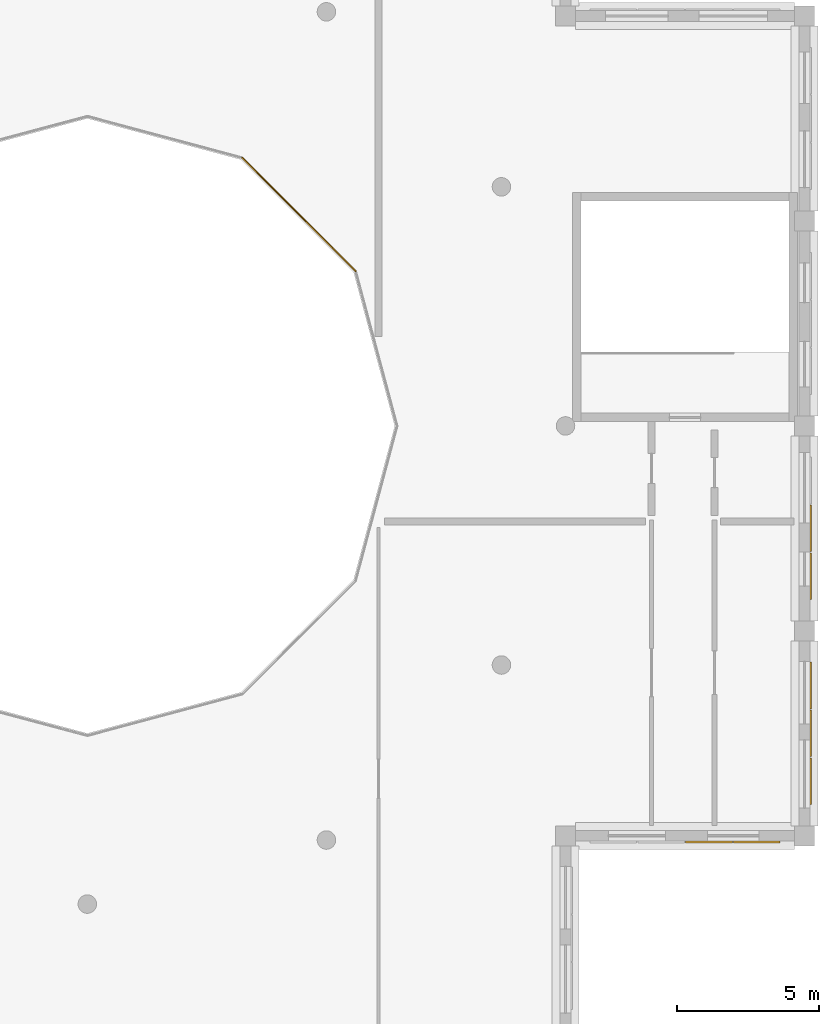
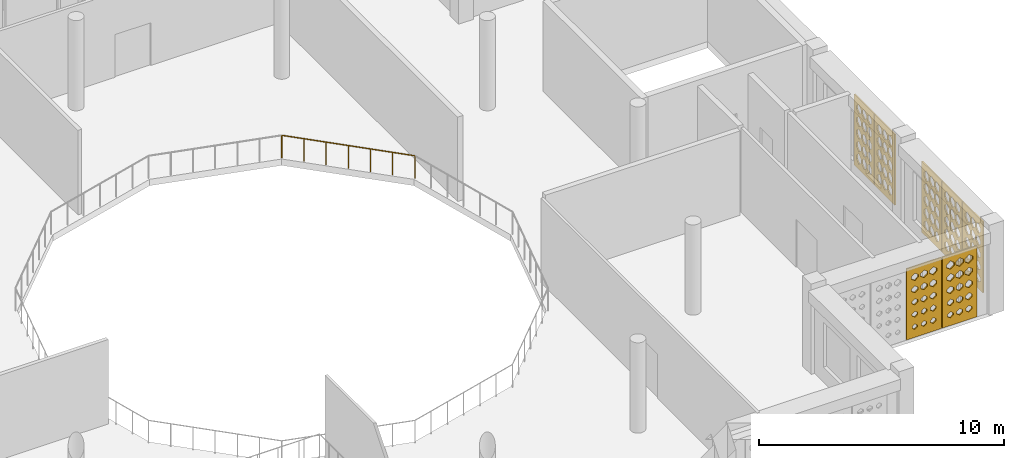
# One storey, part 38 of 47: 7 coverings, 1 railing.
"""IFC4 building model written with IfcOpenShell, lengths in metres."""

from ifc_helpers import new_model, si_unit, derived_unit, direction, frame, origin, origin_2d, place, context, subcontext, project, spatial, polyline, circle, outline, extrude, material, layer, layer_set, type_object, element, save


model = new_model("IFC4")

# Units and contexts
model_context = context("Model", 3, precision=1e-05, world=origin(), true_north=direction((0.0, 1.0)))
body_context = subcontext(model_context, "Body", "Model", "MODEL_VIEW")
ifc_project = project(units=[si_unit("LENGTHUNIT", "METRE"), si_unit("AREAUNIT", "SQUARE_METRE"), si_unit("VOLUMEUNIT", "CUBIC_METRE"), si_unit("PLANEANGLEUNIT", "RADIAN"), si_unit("MASSUNIT", "GRAM", prefix="KILO"), derived_unit("THERMALTRANSMITTANCEUNIT", [(si_unit("POWERUNIT", "WATT"), 1), (si_unit("LENGTHUNIT", "METRE"), -2), (si_unit("THERMODYNAMICTEMPERATUREUNIT", "KELVIN"), -1)])], contexts=[model_context])

# Site, building, storey
site_placement = place(None, origin())
site = spatial("IfcSite", under=ifc_project, at=site_placement, CompositionType="ELEMENT")
building_placement = place(site_placement, origin())
building = spatial("IfcBuilding", under=site, at=building_placement, Name="Veybourne Emporium", CompositionType="ELEMENT")
storey_placement = place(building_placement, frame((0.0, 0.0, 23.39990234375)))
storey = spatial("IfcBuildingStorey", under=building, at=storey_placement, Name="L05", CompositionType="ELEMENT", Elevation=23.39990234375)

# Railing
ifc_material_1 = material(Name="Patinated Architectural Bronze", Category="bronze")
railing_type = type_object("IfcRailingType", Name="Balustrade_BL-01", PredefinedType="BALUSTRADE", material=ifc_material_1)
railing_placement = place(storey_placement, frame((85.0224609375, 55.840087890625, 0.0)))
element("IfcRailing", 1, at=railing_placement, inside=storey, type_object=railing_type, Name="L05 central atrium void balustrade 02", PredefinedType="BALUSTRADE", context=body_context, shape_type="SweptSolid", body=[
    extrude(circle(Radius=0.02392578125, at=origin_2d()), frame((0.0, 0.0, 1.1259765625), z_axis=(-0.707128455954, 0.707085105755, 0.0), x_axis=(-0.707085105755, -0.707128455954, 0.0)), (0.0, 0.0, 1.0), 5.6318359375),
    extrude(circle(Radius=0.02099609375, at=origin_2d()), origin(), (0.0, 0.0, 1.0), 1.101806640625),
    extrude(circle(Radius=0.02099609375, at=origin_2d()), frame((-0.663818359375, 0.66357421875, 0.0)), (0.0, 0.0, 1.0), 1.101806640625),
    extrude(circle(Radius=0.02099609375, at=origin_2d()), frame((-1.327392578125, 1.327392578125, 0.0)), (0.0, 0.0, 1.0), 1.101806640625),
    extrude(circle(Radius=0.02099609375, at=origin_2d()), frame((-1.9912109375, 1.9912109375, 0.0)), (0.0, 0.0, 1.0), 1.101806640625),
    extrude(circle(Radius=0.02099609375, at=origin_2d()), frame((-2.655029296875, 2.65478515625, 0.0)), (0.0, 0.0, 1.0), 1.101806640625),
    extrude(circle(Radius=0.02099609375, at=origin_2d()), frame((-3.318603515625, 3.318359375, 0.0)), (0.0, 0.0, 1.0), 1.101806640625),
    extrude(circle(Radius=0.02099609375, at=origin_2d()), frame((-3.982421875, 3.982177734375, 0.0)), (0.0, 0.0, 1.0), 1.101806640625),
])

# Coverings
ifc_material_2 = material(Name="Warm-White Perforated Aluminium Screen Alloy", Category="aluminium")
ifc_layer_1 = layer(ifc_material_2, 0.06005859375)
ifc_layer_set_1 = layer_set([ifc_layer_1], Name="Warm-White Perforated Aluminium Screen Alloy")
covering_type_1 = type_object("IfcCoveringType", Name="WaveScreen_SCR-01", PredefinedType="CLADDING", material=ifc_layer_set_1)
covering_1_placement = place(storey_placement, frame((101.048095703125, 37.919921875, 1.830078125), z_axis=(-1.0, 0.0, 0.0), x_axis=(0.0, -1.0, 0.0)))
element("IfcCovering", 2, at=covering_1_placement, inside=storey, type_object=covering_type_1, Name="L05 wave-perforated aluminium screen SCR-01 (52.3)", PredefinedType="CLADDING", context=body_context, shape_type="SweptSolid", body=[
    extrude(outline(polyline([(-0.81982421875, -1.77001953125), (0.81982421875, -1.77001953125), (0.81982421875, 1.77001953125), (-0.81982421875, 1.77001953125), (-0.81982421875, -1.77001953125)]), holes=[polyline([(-0.433349609375, -1.016357421875), (-0.2470703125, -1.159423828125), (-0.2470703125, -1.320556640625), (-0.433349609375, -1.463623046875), (-0.61962890625, -1.320556640625), (-0.61962890625, -1.159423828125), (-0.433349609375, -1.016357421875)]), polyline([(-0.433349609375, -0.383544921875), (-0.2470703125, -0.534912109375), (-0.2470703125, -0.705078125), (-0.433349609375, -0.8564453125), (-0.61962890625, -0.705078125), (-0.61962890625, -0.534912109375), (-0.433349609375, -0.383544921875)]), polyline([(-0.433349609375, 0.247802734375), (-0.2470703125, 0.089111328125), (-0.2470703125, -0.089111328125), (-0.433349609375, -0.247802734375), (-0.61962890625, -0.089111328125), (-0.61962890625, 0.089111328125), (-0.433349609375, 0.247802734375)]), polyline([(-0.433349609375, 0.877685546875), (-0.2470703125, 0.712646484375), (-0.2470703125, 0.52734375), (-0.433349609375, 0.3623046875), (-0.61962890625, 0.52734375), (-0.61962890625, 0.712646484375), (-0.433349609375, 0.877685546875)]), polyline([(-0.433349609375, 1.50537109375), (-0.2470703125, 1.33544921875), (-0.2470703125, 1.14453125), (-0.433349609375, 0.974609375), (-0.61962890625, 1.14453125), (-0.61962890625, 1.33544921875), (-0.433349609375, 1.50537109375)]), polyline([(0.0, -1.022216796875), (0.186279296875, -1.16162109375), (0.186279296875, -1.318359375), (0.0, -1.457763671875), (-0.186279296875, -1.318359375), (-0.186279296875, -1.16162109375), (0.0, -1.022216796875)]), polyline([(0.0, -0.38916015625), (0.186279296875, -0.536865234375), (0.186279296875, -0.703125), (0.0, -0.850830078125), (-0.186279296875, -0.703125), (-0.186279296875, -0.536865234375), (0.0, -0.38916015625)]), polyline([(0.0, 0.242919921875), (0.186279296875, 0.08740234375), (0.186279296875, -0.08740234375), (0.0, -0.242919921875), (-0.186279296875, -0.08740234375), (-0.186279296875, 0.08740234375), (0.0, 0.242919921875)]), polyline([(0.0, 0.873291015625), (0.186279296875, 0.711181640625), (0.186279296875, 0.52880859375), (0.0, 0.36669921875), (-0.186279296875, 0.52880859375), (-0.186279296875, 0.711181640625), (0.0, 0.873291015625)]), polyline([(0.0, 1.502197265625), (0.186279296875, 1.33447265625), (0.186279296875, 1.1455078125), (0.0, 0.977783203125), (-0.186279296875, 1.1455078125), (-0.186279296875, 1.33447265625), (0.0, 1.502197265625)]), polyline([(0.433349609375, -1.028564453125), (0.616455078125, -1.163818359375), (0.616455078125, -1.316162109375), (0.433349609375, -1.451416015625), (0.250244140625, -1.316162109375), (0.250244140625, -1.163818359375), (0.433349609375, -1.028564453125)]), polyline([(0.433349609375, -0.39501953125), (0.61962890625, -0.5390625), (0.61962890625, -0.700927734375), (0.433349609375, -0.84521484375), (0.2470703125, -0.700927734375), (0.2470703125, -0.5390625), (0.433349609375, -0.39501953125)]), polyline([(0.433349609375, 0.23779296875), (0.61962890625, 0.085693359375), (0.61962890625, -0.085693359375), (0.433349609375, -0.23779296875), (0.2470703125, -0.085693359375), (0.2470703125, 0.085693359375), (0.433349609375, 0.23779296875)]), polyline([(0.433349609375, 0.868896484375), (0.61962890625, 0.709716796875), (0.61962890625, 0.530517578125), (0.433349609375, 0.37109375), (0.2470703125, 0.530517578125), (0.2470703125, 0.709716796875), (0.433349609375, 0.868896484375)]), polyline([(0.433349609375, 1.49853515625), (0.61962890625, 1.3330078125), (0.61962890625, 1.14697265625), (0.433349609375, 0.9814453125), (0.2470703125, 1.14697265625), (0.2470703125, 1.3330078125), (0.433349609375, 1.49853515625)])]), origin(), (0.0, 0.0, 1.0), 0.06005859375),
])
covering_2_placement = place(storey_placement, frame((101.048095703125, 46.800048828125, 1.830078125), z_axis=(-1.0, 0.0, 0.0), x_axis=(0.0, -1.0, 0.0)))
element("IfcCovering", 3, at=covering_2_placement, inside=storey, type_object=covering_type_1, Name="L05 wave-perforated aluminium screen SCR-01 (53.2)", PredefinedType="CLADDING", context=body_context, shape_type="SweptSolid", body=[
    extrude(outline(polyline([(-0.81982421875, -1.77001953125), (0.81982421875, -1.77001953125), (0.81982421875, 1.77001953125), (-0.81982421875, 1.77001953125), (-0.81982421875, -1.77001953125)]), holes=[polyline([(-0.433349609375, -0.973388671875), (-0.2470703125, -1.14404296875), (-0.2470703125, -1.3359375), (-0.433349609375, -1.506591796875), (-0.61962890625, -1.3359375), (-0.61962890625, -1.14404296875), (-0.433349609375, -0.973388671875)]), polyline([(-0.433349609375, -0.35888671875), (-0.2470703125, -0.52587890625), (-0.2470703125, -0.714111328125), (-0.433349609375, -0.881103515625), (-0.61962890625, -0.714111328125), (-0.61962890625, -0.52587890625), (-0.433349609375, -0.35888671875)]), polyline([(-0.433349609375, 0.252197265625), (-0.2470703125, 0.0908203125), (-0.2470703125, -0.0908203125), (-0.433349609375, -0.252197265625), (-0.61962890625, -0.0908203125), (-0.61962890625, 0.0908203125), (-0.433349609375, 0.252197265625)]), polyline([(-0.433349609375, 0.861328125), (-0.2470703125, 0.706787109375), (-0.2470703125, 0.533203125), (-0.433349609375, 0.378662109375), (-0.61962890625, 0.533203125), (-0.61962890625, 0.706787109375), (-0.433349609375, 0.861328125)]), polyline([(-0.433349609375, 1.46923828125), (-0.2470703125, 1.322509765625), (-0.2470703125, 1.157470703125), (-0.433349609375, 1.0107421875), (-0.61962890625, 1.157470703125), (-0.61962890625, 1.322509765625), (-0.433349609375, 1.46923828125)]), polyline([(0.0, -0.973388671875), (0.186279296875, -1.14404296875), (0.186279296875, -1.3359375), (0.0, -1.506591796875), (-0.186279296875, -1.3359375), (-0.186279296875, -1.14404296875), (0.0, -0.973388671875)]), polyline([(0.0, -0.355712890625), (0.186279296875, -0.52490234375), (0.186279296875, -0.715087890625), (0.0, -0.884521484375), (-0.186279296875, -0.715087890625), (-0.186279296875, -0.52490234375), (0.0, -0.355712890625)]), polyline([(0.0, 0.25634765625), (0.186279296875, 0.09228515625), (0.186279296875, -0.09228515625), (0.0, -0.25634765625), (-0.186279296875, -0.09228515625), (-0.186279296875, 0.09228515625), (0.0, 0.25634765625)]), polyline([(0.0, 0.866455078125), (0.186279296875, 0.708740234375), (0.186279296875, 0.53125), (0.0, 0.37353515625), (-0.186279296875, 0.53125), (-0.186279296875, 0.708740234375), (0.0, 0.866455078125)]), polyline([(0.0, 1.474853515625), (0.186279296875, 1.324462890625), (0.186279296875, 1.155517578125), (0.0, 1.005126953125), (-0.186279296875, 1.155517578125), (-0.186279296875, 1.324462890625), (0.0, 1.474853515625)]), polyline([(0.433349609375, -0.973388671875), (0.61962890625, -1.14404296875), (0.61962890625, -1.3359375), (0.433349609375, -1.506591796875), (0.2470703125, -1.3359375), (0.2470703125, -1.14404296875), (0.433349609375, -0.973388671875)]), polyline([(0.433349609375, -0.353515625), (0.61962890625, -0.52392578125), (0.61962890625, -0.716064453125), (0.433349609375, -0.88671875), (0.2470703125, -0.716064453125), (0.2470703125, -0.52392578125), (0.433349609375, -0.353515625)]), polyline([(0.433349609375, 0.26025390625), (0.61962890625, 0.09375), (0.61962890625, -0.09375), (0.433349609375, -0.26025390625), (0.2470703125, -0.09375), (0.2470703125, 0.09375), (0.433349609375, 0.26025390625)]), polyline([(0.433349609375, 0.87109375), (0.61962890625, 0.71044921875), (0.61962890625, 0.529541015625), (0.433349609375, 0.368896484375), (0.2470703125, 0.529541015625), (0.2470703125, 0.71044921875), (0.433349609375, 0.87109375)]), polyline([(0.433349609375, 1.480224609375), (0.61962890625, 1.326416015625), (0.61962890625, 1.153564453125), (0.433349609375, 0.999755859375), (0.2470703125, 1.153564453125), (0.2470703125, 1.326416015625), (0.433349609375, 1.480224609375)])]), origin(), (0.0, 0.0, 1.0), 0.06005859375),
])
ifc_layer_2 = layer(ifc_material_2, 0.06005859375)
ifc_layer_set_2 = layer_set([ifc_layer_2], Name="Warm-White Perforated Aluminium Screen Alloy")
covering_type_2 = type_object("IfcCoveringType", Name="WaveScreen_SCR-02", PredefinedType="CLADDING", material=ifc_layer_set_2)
covering_3_placement = place(storey_placement, frame((99.1201171875, 35.751953125, 1.830078125), z_axis=(0.0, 1.0, 0.0), x_axis=(-1.0, 0.0, 0.0)))
element("IfcCovering", 4, at=covering_3_placement, inside=storey, type_object=covering_type_2, Name="L05 wave-perforated aluminium screen SCR-02 (51.1)", PredefinedType="CLADDING", context=body_context, shape_type="SweptSolid", body=[
    extrude(outline(polyline([(-0.81982421875, -1.77001953125), (0.81982421875, -1.77001953125), (0.81982421875, 1.77001953125), (-0.81982421875, 1.77001953125), (-0.81982421875, -1.77001953125)]), holes=[polyline([(-0.433349609375, -1.074951171875), (-0.2880859375, -1.1806640625), (-0.2880859375, -1.29931640625), (-0.433349609375, -1.405029296875), (-0.578369140625, -1.29931640625), (-0.578369140625, -1.1806640625), (-0.433349609375, -1.074951171875)]), polyline([(-0.433349609375, -0.44091796875), (-0.27685546875, -0.5556640625), (-0.27685546875, -0.684326171875), (-0.433349609375, -0.799072265625), (-0.58984375, -0.684326171875), (-0.58984375, -0.5556640625), (-0.433349609375, -0.44091796875)]), polyline([(-0.433349609375, 0.193115234375), (-0.26513671875, 0.069580078125), (-0.26513671875, -0.069580078125), (-0.433349609375, -0.193115234375), (-0.601318359375, -0.069580078125), (-0.601318359375, 0.069580078125), (-0.433349609375, 0.193115234375)]), polyline([(-0.433349609375, 0.827392578125), (-0.253662109375, 0.694580078125), (-0.253662109375, 0.54541015625), (-0.433349609375, 0.41259765625), (-0.613037109375, 0.54541015625), (-0.613037109375, 0.694580078125), (-0.433349609375, 0.827392578125)]), polyline([(-0.433349609375, 1.461181640625), (-0.2470703125, 1.319580078125), (-0.2470703125, 1.160400390625), (-0.433349609375, 1.018798828125), (-0.61962890625, 1.160400390625), (-0.61962890625, 1.319580078125), (-0.433349609375, 1.461181640625)]), polyline([(0.0, -1.080810546875), (0.14013671875, -1.1826171875), (0.14013671875, -1.29736328125), (0.0, -1.399169921875), (-0.14013671875, -1.29736328125), (-0.14013671875, -1.1826171875), (0.0, -1.080810546875)]), polyline([(0.0, -0.447265625), (0.1513671875, -0.557861328125), (0.1513671875, -0.68212890625), (0.0, -0.792724609375), (-0.1513671875, -0.68212890625), (-0.1513671875, -0.557861328125), (0.0, -0.447265625)]), polyline([(0.0, 0.186767578125), (0.162841796875, 0.067138671875), (0.162841796875, -0.067138671875), (0.0, -0.186767578125), (-0.162841796875, -0.067138671875), (-0.162841796875, 0.067138671875), (0.0, 0.186767578125)]), polyline([(0.0, 0.821044921875), (0.174560546875, 0.6923828125), (0.174560546875, 0.547607421875), (0.0, 0.4189453125), (-0.174560546875, 0.547607421875), (-0.174560546875, 0.6923828125), (0.0, 0.821044921875)]), polyline([(0.0, 1.455078125), (0.18603515625, 1.3173828125), (0.18603515625, 1.16259765625), (0.0, 1.02490234375), (-0.18603515625, 1.16259765625), (-0.18603515625, 1.3173828125), (0.0, 1.455078125)]), polyline([(0.433349609375, -1.086669921875), (0.56884765625, -1.184814453125), (0.56884765625, -1.295166015625), (0.433349609375, -1.393310546875), (0.2978515625, -1.295166015625), (0.2978515625, -1.184814453125), (0.433349609375, -1.086669921875)]), polyline([(0.433349609375, -0.45361328125), (0.57958984375, -0.56005859375), (0.57958984375, -0.679931640625), (0.433349609375, -0.78662109375), (0.287109375, -0.679931640625), (0.287109375, -0.56005859375), (0.433349609375, -0.45361328125)]), polyline([(0.433349609375, 0.180419921875), (0.5908203125, 0.06494140625), (0.5908203125, -0.06494140625), (0.433349609375, -0.180419921875), (0.275634765625, -0.06494140625), (0.275634765625, 0.06494140625), (0.433349609375, 0.180419921875)]), polyline([(0.433349609375, 0.814697265625), (0.6025390625, 0.690185546875), (0.6025390625, 0.5498046875), (0.433349609375, 0.42529296875), (0.263916015625, 0.5498046875), (0.263916015625, 0.690185546875), (0.433349609375, 0.814697265625)]), polyline([(0.433349609375, 1.448974609375), (0.6142578125, 1.315185546875), (0.6142578125, 1.164794921875), (0.433349609375, 1.031005859375), (0.25244140625, 1.164794921875), (0.25244140625, 1.315185546875), (0.433349609375, 1.448974609375)])]), origin(), (0.0, 0.0, 1.0), 0.06005859375),
])
covering_4_placement = place(storey_placement, frame((101.048095703125, 45.1201171875, 1.830078125), z_axis=(-1.0, 0.0, 0.0), x_axis=(0.0, -1.0, 0.0)))
element("IfcCovering", 5, at=covering_4_placement, inside=storey, type_object=covering_type_2, Name="L05 wave-perforated aluminium screen SCR-02 (53.3)", PredefinedType="CLADDING", context=body_context, shape_type="SweptSolid", body=[
    extrude(outline(polyline([(-0.81982421875, -1.77001953125), (0.81982421875, -1.77001953125), (0.81982421875, 1.77001953125), (-0.81982421875, 1.77001953125), (-0.81982421875, -1.77001953125)]), holes=[polyline([(-0.433349609375, -0.973388671875), (-0.2470703125, -1.14404296875), (-0.2470703125, -1.3359375), (-0.433349609375, -1.506591796875), (-0.61962890625, -1.3359375), (-0.61962890625, -1.14404296875), (-0.433349609375, -0.973388671875)]), polyline([(-0.433349609375, -0.353515625), (-0.2470703125, -0.52392578125), (-0.2470703125, -0.716064453125), (-0.433349609375, -0.88671875), (-0.61962890625, -0.716064453125), (-0.61962890625, -0.52392578125), (-0.433349609375, -0.353515625)]), polyline([(-0.433349609375, 0.266357421875), (-0.2470703125, 0.095947265625), (-0.2470703125, -0.095947265625), (-0.433349609375, -0.266357421875), (-0.61962890625, -0.095947265625), (-0.61962890625, 0.095947265625), (-0.433349609375, 0.266357421875)]), polyline([(-0.433349609375, 0.87890625), (-0.2470703125, 0.713134765625), (-0.2470703125, 0.52685546875), (-0.433349609375, 0.361083984375), (-0.61962890625, 0.52685546875), (-0.61962890625, 0.713134765625), (-0.433349609375, 0.87890625)]), polyline([(-0.433349609375, 1.489501953125), (-0.2470703125, 1.329833984375), (-0.2470703125, 1.150146484375), (-0.433349609375, 0.990478515625), (-0.61962890625, 1.150146484375), (-0.61962890625, 1.329833984375), (-0.433349609375, 1.489501953125)]), polyline([(0.0, -0.973388671875), (0.186279296875, -1.14404296875), (0.186279296875, -1.3359375), (0.0, -1.506591796875), (-0.186279296875, -1.3359375), (-0.186279296875, -1.14404296875), (0.0, -0.973388671875)]), polyline([(0.0, -0.353515625), (0.186279296875, -0.52392578125), (0.186279296875, -0.716064453125), (0.0, -0.88671875), (-0.186279296875, -0.716064453125), (-0.186279296875, -0.52392578125), (0.0, -0.353515625)]), polyline([(0.0, 0.2666015625), (0.186279296875, 0.095947265625), (0.186279296875, -0.095947265625), (0.0, -0.2666015625), (-0.186279296875, -0.095947265625), (-0.186279296875, 0.095947265625), (0.0, 0.2666015625)]), polyline([(0.0, 0.882568359375), (0.186279296875, 0.714599609375), (0.186279296875, 0.525390625), (0.0, 0.357421875), (-0.186279296875, 0.525390625), (-0.186279296875, 0.714599609375), (0.0, 0.882568359375)]), polyline([(0.0, 1.493896484375), (0.186279296875, 1.331298828125), (0.186279296875, 1.148681640625), (0.0, 0.986083984375), (-0.186279296875, 1.148681640625), (-0.186279296875, 1.331298828125), (0.0, 1.493896484375)]), polyline([(0.433349609375, -0.973388671875), (0.61962890625, -1.14404296875), (0.61962890625, -1.3359375), (0.433349609375, -1.506591796875), (0.2470703125, -1.3359375), (0.2470703125, -1.14404296875), (0.433349609375, -0.973388671875)]), polyline([(0.433349609375, -0.353515625), (0.61962890625, -0.52392578125), (0.61962890625, -0.716064453125), (0.433349609375, -0.88671875), (0.2470703125, -0.716064453125), (0.2470703125, -0.52392578125), (0.433349609375, -0.353515625)]), polyline([(0.433349609375, 0.2666015625), (0.61962890625, 0.095947265625), (0.61962890625, -0.095947265625), (0.433349609375, -0.2666015625), (0.2470703125, -0.095947265625), (0.2470703125, 0.095947265625), (0.433349609375, 0.2666015625)]), polyline([(0.433349609375, 0.8857421875), (0.61962890625, 0.7158203125), (0.61962890625, 0.5244140625), (0.433349609375, 0.354248046875), (0.2470703125, 0.5244140625), (0.2470703125, 0.7158203125), (0.433349609375, 0.8857421875)]), polyline([(0.433349609375, 1.498046875), (0.61962890625, 1.3330078125), (0.61962890625, 1.147216796875), (0.433349609375, 0.98193359375), (0.2470703125, 1.147216796875), (0.2470703125, 1.3330078125), (0.433349609375, 1.498046875)])]), origin(), (0.0, 0.0, 1.0), 0.06005859375),
])
ifc_layer_3 = layer(ifc_material_2, 0.06005859375)
ifc_layer_set_3 = layer_set([ifc_layer_3], Name="Warm-White Perforated Aluminium Screen Alloy")
covering_type_3 = type_object("IfcCoveringType", Name="WaveScreen_SCR-03", PredefinedType="CLADDING", material=ifc_layer_set_3)
covering_5_placement = place(storey_placement, frame((97.43994140625, 35.751953125, 1.830078125), z_axis=(0.0, 1.0, 0.0), x_axis=(-1.0, 0.0, 0.0)))
element("IfcCovering", 6, at=covering_5_placement, inside=storey, type_object=covering_type_3, Name="L05 wave-perforated aluminium screen SCR-03 (51.2)", PredefinedType="CLADDING", context=body_context, shape_type="SweptSolid", body=[
    extrude(outline(polyline([(-0.81982421875, -1.77001953125), (0.81982421875, -1.77001953125), (0.81982421875, 1.77001953125), (-0.81982421875, 1.77001953125), (-0.81982421875, -1.77001953125)]), holes=[polyline([(-0.433349609375, -1.0966796875), (-0.30615234375, -1.1884765625), (-0.30615234375, -1.29150390625), (-0.433349609375, -1.38330078125), (-0.560546875, -1.29150390625), (-0.560546875, -1.1884765625), (-0.433349609375, -1.0966796875)]), polyline([(-0.433349609375, -0.464599609375), (-0.296142578125, -0.564208984375), (-0.296142578125, -0.67578125), (-0.433349609375, -0.775390625), (-0.5703125, -0.67578125), (-0.5703125, -0.564208984375), (-0.433349609375, -0.464599609375)]), polyline([(-0.433349609375, 0.168701171875), (-0.285400390625, 0.060791015625), (-0.285400390625, -0.060791015625), (-0.433349609375, -0.168701171875), (-0.581298828125, -0.060791015625), (-0.581298828125, 0.060791015625), (-0.433349609375, 0.168701171875)]), polyline([(-0.433349609375, 0.802490234375), (-0.27392578125, 0.685791015625), (-0.27392578125, 0.55419921875), (-0.433349609375, 0.4375), (-0.5927734375, 0.55419921875), (-0.5927734375, 0.685791015625), (-0.433349609375, 0.802490234375)]), polyline([(-0.433349609375, 1.43701171875), (-0.26220703125, 1.310791015625), (-0.26220703125, 1.169189453125), (-0.433349609375, 1.043212890625), (-0.6044921875, 1.169189453125), (-0.6044921875, 1.310791015625), (-0.433349609375, 1.43701171875)]), polyline([(0.0, -1.101806640625), (0.123046875, -1.190185546875), (0.123046875, -1.289794921875), (0.0, -1.378173828125), (-0.123046875, -1.289794921875), (-0.123046875, -1.190185546875), (0.0, -1.101806640625)]), polyline([(0.0, -0.47021484375), (0.132568359375, -0.566162109375), (0.132568359375, -0.673828125), (0.0, -0.769775390625), (-0.132568359375, -0.673828125), (-0.132568359375, -0.566162109375), (0.0, -0.47021484375)]), polyline([(0.0, 0.16259765625), (0.14306640625, 0.05859375), (0.14306640625, -0.05859375), (0.0, -0.16259765625), (-0.14306640625, -0.05859375), (-0.14306640625, 0.05859375), (0.0, 0.16259765625)]), polyline([(0.0, 0.79638671875), (0.154296875, 0.68359375), (0.154296875, 0.556396484375), (0.0, 0.443603515625), (-0.154296875, 0.556396484375), (-0.154296875, 0.68359375), (0.0, 0.79638671875)]), polyline([(0.0, 1.430419921875), (0.166015625, 1.30859375), (0.166015625, 1.17138671875), (0.0, 1.049560546875), (-0.166015625, 1.17138671875), (-0.166015625, 1.30859375), (0.0, 1.430419921875)]), polyline([(0.433349609375, -1.1064453125), (0.552490234375, -1.19189453125), (0.552490234375, -1.2880859375), (0.433349609375, -1.37353515625), (0.314208984375, -1.2880859375), (0.314208984375, -1.19189453125), (0.433349609375, -1.1064453125)]), polyline([(0.433349609375, -0.4755859375), (0.561279296875, -0.568115234375), (0.561279296875, -0.672119140625), (0.433349609375, -0.764404296875), (0.30517578125, -0.672119140625), (0.30517578125, -0.568115234375), (0.433349609375, -0.4755859375)]), polyline([(0.433349609375, 0.156494140625), (0.571533203125, 0.056396484375), (0.571533203125, -0.056396484375), (0.433349609375, -0.156494140625), (0.295166015625, -0.056396484375), (0.295166015625, 0.056396484375), (0.433349609375, 0.156494140625)]), polyline([(0.433349609375, 0.7900390625), (0.58251953125, 0.68115234375), (0.58251953125, 0.558837890625), (0.433349609375, 0.449951171875), (0.2841796875, 0.558837890625), (0.2841796875, 0.68115234375), (0.433349609375, 0.7900390625)]), polyline([(0.433349609375, 1.424072265625), (0.593994140625, 1.306396484375), (0.593994140625, 1.173583984375), (0.433349609375, 1.055908203125), (0.272705078125, 1.173583984375), (0.272705078125, 1.306396484375), (0.433349609375, 1.424072265625)])]), origin(), (0.0, 0.0, 1.0), 0.06005859375),
])
covering_6_placement = place(storey_placement, frame((101.048095703125, 41.280029296875, 1.830078125), z_axis=(-1.0, 0.0, 0.0), x_axis=(0.0, -1.0, 0.0)))
element("IfcCovering", 7, at=covering_6_placement, inside=storey, type_object=covering_type_3, Name="L05 wave-perforated aluminium screen SCR-03 (52.1)", PredefinedType="CLADDING", context=body_context, shape_type="SweptSolid", body=[
    extrude(outline(polyline([(-0.81982421875, -1.77001953125), (0.81982421875, -1.77001953125), (0.81982421875, 1.77001953125), (-0.81982421875, 1.77001953125), (-0.81982421875, -1.77001953125)]), holes=[polyline([(-0.433349609375, -0.978515625), (-0.2470703125, -1.145751953125), (-0.2470703125, -1.334228515625), (-0.433349609375, -1.501708984375), (-0.61962890625, -1.334228515625), (-0.61962890625, -1.145751953125), (-0.433349609375, -0.978515625)]), polyline([(-0.433349609375, -0.353515625), (-0.2470703125, -0.52392578125), (-0.2470703125, -0.716064453125), (-0.433349609375, -0.88671875), (-0.61962890625, -0.716064453125), (-0.61962890625, -0.52392578125), (-0.433349609375, -0.353515625)]), polyline([(-0.433349609375, 0.2666015625), (-0.2470703125, 0.095947265625), (-0.2470703125, -0.095947265625), (-0.433349609375, -0.2666015625), (-0.61962890625, -0.095947265625), (-0.61962890625, 0.095947265625), (-0.433349609375, 0.2666015625)]), polyline([(-0.433349609375, 0.88671875), (-0.2470703125, 0.716064453125), (-0.2470703125, 0.52392578125), (-0.433349609375, 0.353515625), (-0.61962890625, 0.52392578125), (-0.61962890625, 0.716064453125), (-0.433349609375, 0.88671875)]), polyline([(-0.433349609375, 1.506591796875), (-0.2470703125, 1.3359375), (-0.2470703125, 1.14404296875), (-0.433349609375, 0.973388671875), (-0.61962890625, 1.14404296875), (-0.61962890625, 1.3359375), (-0.433349609375, 1.506591796875)]), polyline([(0.0, -0.982177734375), (0.186279296875, -1.147216796875), (0.186279296875, -1.332763671875), (0.0, -1.497802734375), (-0.186279296875, -1.332763671875), (-0.186279296875, -1.147216796875), (0.0, -0.982177734375)]), polyline([(0.0, -0.3544921875), (0.186279296875, -0.5244140625), (0.186279296875, -0.715576171875), (0.0, -0.885498046875), (-0.186279296875, -0.715576171875), (-0.186279296875, -0.5244140625), (0.0, -0.3544921875)]), polyline([(0.0, 0.2666015625), (0.186279296875, 0.095947265625), (0.186279296875, -0.095947265625), (0.0, -0.2666015625), (-0.186279296875, -0.095947265625), (-0.186279296875, 0.095947265625), (0.0, 0.2666015625)]), polyline([(0.0, 0.88671875), (0.186279296875, 0.716064453125), (0.186279296875, 0.52392578125), (0.0, 0.353515625), (-0.186279296875, 0.52392578125), (-0.186279296875, 0.716064453125), (0.0, 0.88671875)]), polyline([(0.0, 1.506591796875), (0.186279296875, 1.3359375), (0.186279296875, 1.14404296875), (0.0, 0.973388671875), (-0.186279296875, 1.14404296875), (-0.186279296875, 1.3359375), (0.0, 1.506591796875)]), polyline([(0.433349609375, -0.986083984375), (0.61962890625, -1.148681640625), (0.61962890625, -1.331298828125), (0.433349609375, -1.493896484375), (0.2470703125, -1.331298828125), (0.2470703125, -1.148681640625), (0.433349609375, -0.986083984375)]), polyline([(0.433349609375, -0.357666015625), (0.61962890625, -0.525390625), (0.61962890625, -0.714599609375), (0.433349609375, -0.88232421875), (0.2470703125, -0.714599609375), (0.2470703125, -0.525390625), (0.433349609375, -0.357666015625)]), polyline([(0.433349609375, 0.2666015625), (0.61962890625, 0.095947265625), (0.61962890625, -0.095947265625), (0.433349609375, -0.2666015625), (0.2470703125, -0.095947265625), (0.2470703125, 0.095947265625), (0.433349609375, 0.2666015625)]), polyline([(0.433349609375, 0.88671875), (0.61962890625, 0.716064453125), (0.61962890625, 0.52392578125), (0.433349609375, 0.353515625), (0.2470703125, 0.52392578125), (0.2470703125, 0.716064453125), (0.433349609375, 0.88671875)]), polyline([(0.433349609375, 1.506591796875), (0.61962890625, 1.3359375), (0.61962890625, 1.14404296875), (0.433349609375, 0.973388671875), (0.2470703125, 1.14404296875), (0.2470703125, 1.3359375), (0.433349609375, 1.506591796875)])]), origin(), (0.0, 0.0, 1.0), 0.06005859375),
])
ifc_layer_4 = layer(ifc_material_2, 0.06005859375)
ifc_layer_set_4 = layer_set([ifc_layer_4], Name="Warm-White Perforated Aluminium Screen Alloy")
covering_type_4 = type_object("IfcCoveringType", Name="WaveScreen_SCR-04", PredefinedType="CLADDING", material=ifc_layer_set_4)
covering_7_placement = place(storey_placement, frame((101.048095703125, 39.60009765625, 1.830078125), z_axis=(-1.0, 0.0, 0.0), x_axis=(0.0, -1.0, 0.0)))
element("IfcCovering", 8, at=covering_7_placement, inside=storey, type_object=covering_type_4, Name="L05 wave-perforated aluminium screen SCR-04 (52.2)", PredefinedType="CLADDING", context=body_context, shape_type="SweptSolid", body=[
    extrude(outline(polyline([(-0.81982421875, -1.77001953125), (0.81982421875, -1.77001953125), (0.81982421875, 1.77001953125), (-0.81982421875, 1.77001953125), (-0.81982421875, -1.77001953125)]), holes=[polyline([(-0.433349609375, -0.9951171875), (-0.2470703125, -1.15185546875), (-0.2470703125, -1.328125), (-0.433349609375, -1.485107421875), (-0.61962890625, -1.328125), (-0.61962890625, -1.15185546875), (-0.433349609375, -0.9951171875)]), polyline([(-0.433349609375, -0.36474609375), (-0.2470703125, -0.528076171875), (-0.2470703125, -0.7119140625), (-0.433349609375, -0.875244140625), (-0.61962890625, -0.7119140625), (-0.61962890625, -0.528076171875), (-0.433349609375, -0.36474609375)]), polyline([(-0.433349609375, 0.263671875), (-0.2470703125, 0.094970703125), (-0.2470703125, -0.094970703125), (-0.433349609375, -0.263671875), (-0.61962890625, -0.094970703125), (-0.61962890625, 0.094970703125), (-0.433349609375, 0.263671875)]), polyline([(-0.433349609375, 0.88671875), (-0.2470703125, 0.716064453125), (-0.2470703125, 0.52392578125), (-0.433349609375, 0.353515625), (-0.61962890625, 0.52392578125), (-0.61962890625, 0.716064453125), (-0.433349609375, 0.88671875)]), polyline([(-0.433349609375, 1.506591796875), (-0.2470703125, 1.3359375), (-0.2470703125, 1.14404296875), (-0.433349609375, 0.973388671875), (-0.61962890625, 1.14404296875), (-0.61962890625, 1.3359375), (-0.433349609375, 1.506591796875)]), polyline([(0.0, -1.0), (0.186279296875, -1.153564453125), (0.186279296875, -1.326416015625), (0.0, -1.47998046875), (-0.186279296875, -1.326416015625), (-0.186279296875, -1.153564453125), (0.0, -1.0)]), polyline([(0.0, -0.369140625), (0.186279296875, -0.52978515625), (0.186279296875, -0.710205078125), (0.0, -0.870849609375), (-0.186279296875, -0.710205078125), (-0.186279296875, -0.52978515625), (0.0, -0.369140625)]), polyline([(0.0, 0.260009765625), (0.186279296875, 0.093505859375), (0.186279296875, -0.093505859375), (0.0, -0.260009765625), (-0.186279296875, -0.093505859375), (-0.186279296875, 0.093505859375), (0.0, 0.260009765625)]), polyline([(0.0, 0.88671875), (0.186279296875, 0.716064453125), (0.186279296875, 0.52392578125), (0.0, 0.353515625), (-0.186279296875, 0.52392578125), (-0.186279296875, 0.716064453125), (0.0, 0.88671875)]), polyline([(0.0, 1.506591796875), (0.186279296875, 1.3359375), (0.186279296875, 1.14404296875), (0.0, 0.973388671875), (-0.186279296875, 1.14404296875), (-0.186279296875, 1.3359375), (0.0, 1.506591796875)]), polyline([(0.433349609375, -1.005615234375), (0.61962890625, -1.155517578125), (0.61962890625, -1.324462890625), (0.433349609375, -1.474609375), (0.2470703125, -1.324462890625), (0.2470703125, -1.155517578125), (0.433349609375, -1.005615234375)]), polyline([(0.433349609375, -0.373779296875), (0.61962890625, -0.531494140625), (0.61962890625, -0.70849609375), (0.433349609375, -0.8662109375), (0.2470703125, -0.70849609375), (0.2470703125, -0.531494140625), (0.433349609375, -0.373779296875)]), polyline([(0.433349609375, 0.256103515625), (0.61962890625, 0.09228515625), (0.61962890625, -0.09228515625), (0.433349609375, -0.256103515625), (0.2470703125, -0.09228515625), (0.2470703125, 0.09228515625), (0.433349609375, 0.256103515625)]), polyline([(0.433349609375, 0.88427734375), (0.61962890625, 0.715087890625), (0.61962890625, 0.52490234375), (0.433349609375, 0.355712890625), (0.2470703125, 0.52490234375), (0.2470703125, 0.715087890625), (0.433349609375, 0.88427734375)]), polyline([(0.433349609375, 1.506591796875), (0.61962890625, 1.3359375), (0.61962890625, 1.14404296875), (0.433349609375, 0.973388671875), (0.2470703125, 1.14404296875), (0.2470703125, 1.3359375), (0.433349609375, 1.506591796875)])]), origin(), (0.0, 0.0, 1.0), 0.06005859375),
])

save(model, "model.ifc")
